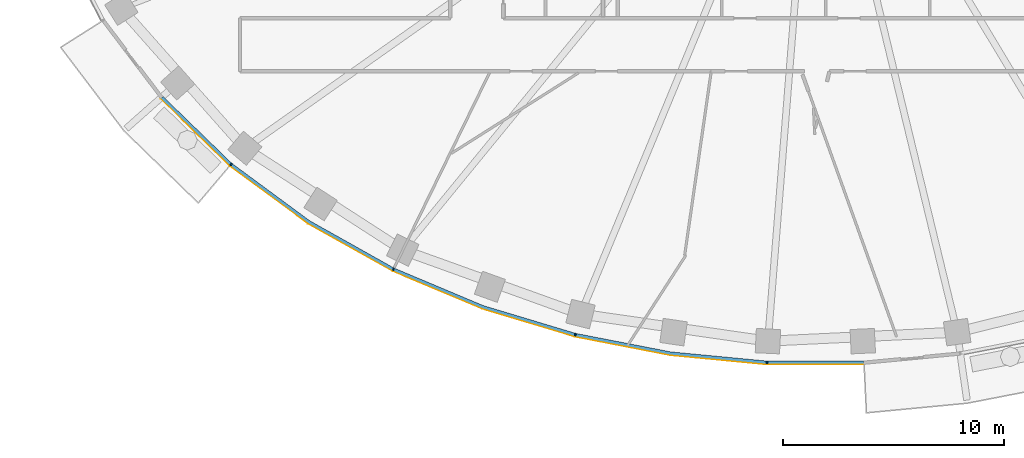
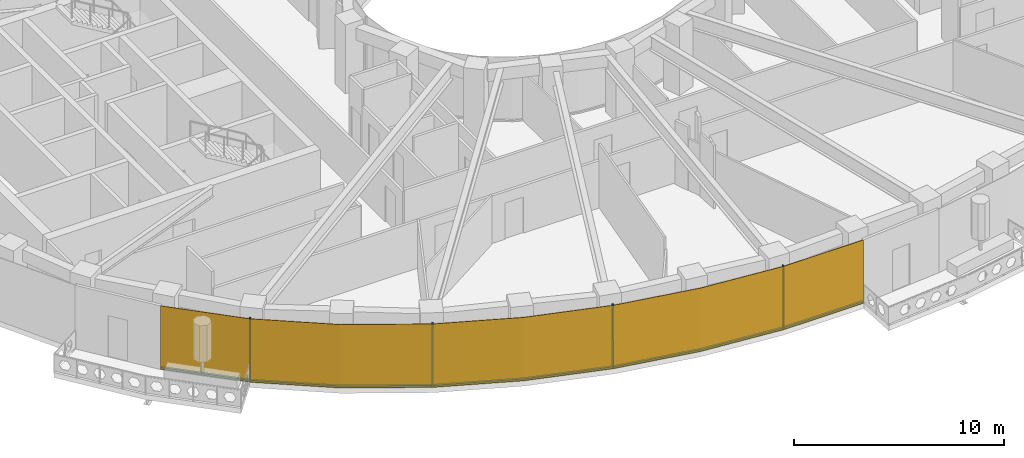
# One storey, part 8 of 16: 9 members, 1 curtain wall.
"""IFC4 building model written with IfcOpenShell, lengths in metres."""

from ifc_helpers import new_model, si_unit, direction, frame, origin, origin_2d, place, context, subcontext, project, spatial, polyline, rectangle, outline, extrude, material, layer, layer_set, material_profile, profile_set, type_object, element, aggregate, save


model = new_model("IFC4")

# Units and contexts
model_context = context("Model", 3, precision=1e-05, world=origin(), true_north=direction((0.0, 1.0)))
body_context = subcontext(model_context, "Body", "Model", "MODEL_VIEW")
ifc_project = project(units=[si_unit("LENGTHUNIT", "METRE"), si_unit("AREAUNIT", "SQUARE_METRE"), si_unit("VOLUMEUNIT", "CUBIC_METRE"), si_unit("PLANEANGLEUNIT", "RADIAN"), si_unit("MASSUNIT", "GRAM", prefix="KILO")], contexts=[model_context])

# Member
ifc_material_1 = material(Name="Aluminium 6063-T6 black anodised", Category="aluminium")
ifc_material_profile = material_profile(ifc_material_1, rectangle(XDim=0.1201171875, YDim=0.06005859375, at=origin_2d()), Name="120x60")
ifc_profile_set = profile_set([ifc_material_profile], Name="Aluminium 6063-T6 black anodised")
member_type_1 = type_object("IfcMemberType", Name="ENV-MULLION-A-120", PredefinedType="MULLION", material=ifc_profile_set)
site_placement = place(None, origin())
building_placement = place(site_placement, origin())
storey_placement = place(building_placement, frame((0.0, 0.0, 245.5)))
member_1_placement = place(storey_placement, frame((-26.403564453125, -18.9130859375, 0.0), z_axis=(0.0, 0.0, 1.0), x_axis=(0.646451313783, 0.762955240435, 0.0)))
member_1 = element("IfcMember", 1, at=member_1_placement, type_object=member_type_1, Name="Mullion A radial 29", PredefinedType="MULLION", context=body_context, shape_type="SweptSolid", body=[
    extrude(rectangle(XDim=0.1201171875, YDim=0.06005859375, at=origin_2d()), origin(), (0.0, 0.0, 1.0), 3.699951171875),
])

member_2_placement = place(storey_placement, frame((-19.06787109375, -23.6474609375, 0.0), z_axis=(0.0, 0.0, 1.0), x_axis=(0.439237769837, 0.898370848563, 0.0)))
member_2 = element("IfcMember", 2, at=member_2_placement, type_object=member_type_1, Name="Mullion A radial 31", PredefinedType="MULLION", context=body_context, shape_type="SweptSolid", body=[
    extrude(rectangle(XDim=0.1201171875, YDim=0.06005859375, at=origin_2d()), origin(), (0.0, 0.0, 1.0), 3.699951171875),
])

member_3_placement = place(storey_placement, frame((-10.84326171875, -26.60498046875, 0.0), z_axis=(0.0, 0.0, 1.0), x_axis=(0.239799081534, 0.970822538106, 0.0)))
member_3 = element("IfcMember", 3, at=member_3_placement, type_object=member_type_1, Name="Mullion A radial 33", PredefinedType="MULLION", context=body_context, shape_type="SweptSolid", body=[
    extrude(rectangle(XDim=0.1201171875, YDim=0.06005859375, at=origin_2d()), origin(), (0.0, 0.0, 1.0), 3.699951171875),
])

member_4_placement = place(storey_placement, frame((-2.188720703125, -27.856201171875, 0.0), z_axis=(0.0, 0.0, 1.0), x_axis=(0.047557873581, 0.998868484166, 0.0)))
member_4 = element("IfcMember", 4, at=member_4_placement, type_object=member_type_1, Name="Mullion A radial 35", PredefinedType="MULLION", context=body_context, shape_type="SweptSolid", body=[
    extrude(rectangle(XDim=0.1201171875, YDim=0.06005859375, at=origin_2d()), origin(), (0.0, 0.0, 1.0), 3.699951171875),
])

ifc_material_2 = material(Name="Aluminium 6063-T6 black anodised", Category="aluminium")
member_type_2 = type_object("IfcMemberType", Name="ENV-TRANSOM-A", PredefinedType="USERDEFINED", material=ifc_material_2)
member_5_placement = place(storey_placement, origin())
member_5 = element("IfcMember", 5, at=member_5_placement, type_object=member_type_2, Name="Transom A radial 28-29", ObjectType="TRANSOM", PredefinedType="USERDEFINED", context=body_context, shape_type="SweptSolid", body=[
    extrude(outline(polyline([(-29.569091796875, -15.9208984375), (-26.46240234375, -18.939208984375), (-26.384765625, -18.847412109375), (-29.47900390625, -15.841064453125), (-29.569091796875, -15.9208984375)])), origin(), (0.0, 0.0, 1.0), 0.10009765625),
])

member_6_placement = place(storey_placement, origin())
member_6 = element("IfcMember", 6, at=member_6_placement, type_object=member_type_2, Name="Transom A radial 29-31", ObjectType="TRANSOM", PredefinedType="USERDEFINED", context=body_context, shape_type="SweptSolid", body=[
    extrude(outline(polyline([(-26.419921875, -18.975341796875), (-22.9150390625, -21.556884765625), (-19.11865234375, -23.687744140625), (-19.06591796875, -23.57958984375), (-22.85009765625, -21.455810546875), (-26.342041015625, -18.883544921875), (-26.419921875, -18.975341796875)])), origin(), (0.0, 0.0, 1.0), 0.10009765625),
])

member_7_placement = place(storey_placement, origin())
member_7 = element("IfcMember", 7, at=member_7_placement, type_object=member_type_2, Name="Transom A radial 31-33", ObjectType="TRANSOM", PredefinedType="USERDEFINED", context=body_context, shape_type="SweptSolid", body=[
    extrude(outline(polyline([(-19.068359375, -23.71240234375), (-15.054443359375, -25.400146484375), (-10.884521484375, -26.655029296875), (-10.855712890625, -26.53857421875), (-15.013916015625, -25.287109375), (-19.015380859375, -23.604248046875), (-19.068359375, -23.71240234375)])), origin(), (0.0, 0.0, 1.0), 0.10009765625),
])

member_8_placement = place(storey_placement, origin())
member_8 = element("IfcMember", 8, at=member_8_placement, type_object=member_type_2, Name="Transom A radial 33-35", ObjectType="TRANSOM", PredefinedType="USERDEFINED", context=body_context, shape_type="SweptSolid", body=[
    extrude(outline(polyline([(-10.830078125, -26.66845703125), (-6.55517578125, -27.49951171875), (-2.219482421875, -27.913330078125), (-2.2138671875, -27.793212890625), (-6.537841796875, -27.380615234375), (-10.80126953125, -26.552001953125), (-10.830078125, -26.66845703125)])), origin(), (0.0, 0.0, 1.0), 0.10009765625),
])

member_9_placement = place(storey_placement, origin())
member_9 = element("IfcMember", 9, at=member_9_placement, type_object=member_type_2, Name="Transom A radial 35-36", ObjectType="TRANSOM", PredefinedType="USERDEFINED", context=body_context, shape_type="SweptSolid", body=[
    extrude(outline(polyline([(-2.163818359375, -27.916015625), (2.171630859375, -27.916015625), (2.166015625, -27.7958984375), (-2.157958984375, -27.7958984375), (-2.163818359375, -27.916015625)])), origin(), (0.0, 0.0, 1.0), 0.10009765625),
])

# Site, building, storey
site = spatial("IfcSite", under=ifc_project, at=site_placement, CompositionType="ELEMENT")
building = spatial("IfcBuilding", under=site, at=building_placement, Name="Noorbagh Ring Tower", CompositionType="ELEMENT")
storey = spatial("IfcBuildingStorey", under=building, at=storey_placement, Name="L51", CompositionType="ELEMENT", Elevation=245.5)

# Curtain wall
ifc_material_3 = material(Name="Glass dark tinted laminated", Category="glass")
ifc_layer = layer(ifc_material_3, 0.031982421875)
ifc_layer_set = layer_set([ifc_layer], Name="Glass dark tinted laminated")
curtain_wall_type = type_object("IfcCurtainWallType", Name="ENV-CW-A", PredefinedType="NOTDEFINED", material=ifc_layer_set)
curtain_wall_placement = place(storey_placement, origin())
curtain_wall = element("IfcCurtainWall", 10, at=curtain_wall_placement, inside=storey, type_object=curtain_wall_type, Name="Curtain wall A R28", PredefinedType="NOTDEFINED", context=body_context, shape_type="SweptSolid", body=[
    extrude(outline(polyline([(-29.59326171875, -15.942138671875), (-26.463134765625, -18.9833984375), (-22.9326171875, -21.583740234375), (-19.108154296875, -23.730224609375), (-15.065185546875, -25.430419921875), (-10.865234375, -26.6943359375), (-6.559814453125, -27.53125), (-2.193115234375, -27.947998046875), (2.173095703125, -27.947998046875), (2.171630859375, -27.916015625), (-2.191650390625, -27.916015625), (-6.55517578125, -27.49951171875), (-10.857666015625, -26.6630859375), (-15.054443359375, -25.400146484375), (-19.093994140625, -23.701416015625), (-22.9150390625, -21.556884765625), (-26.4423828125, -18.958740234375), (-29.569091796875, -15.9208984375), (-29.59326171875, -15.942138671875)])), origin(), (0.0, 0.0, 1.0), 3.699951171875),
])

aggregate(curtain_wall, [member_1, member_2, member_3, member_4, member_5, member_6, member_7, member_8, member_9])

save(model, "model.ifc")
